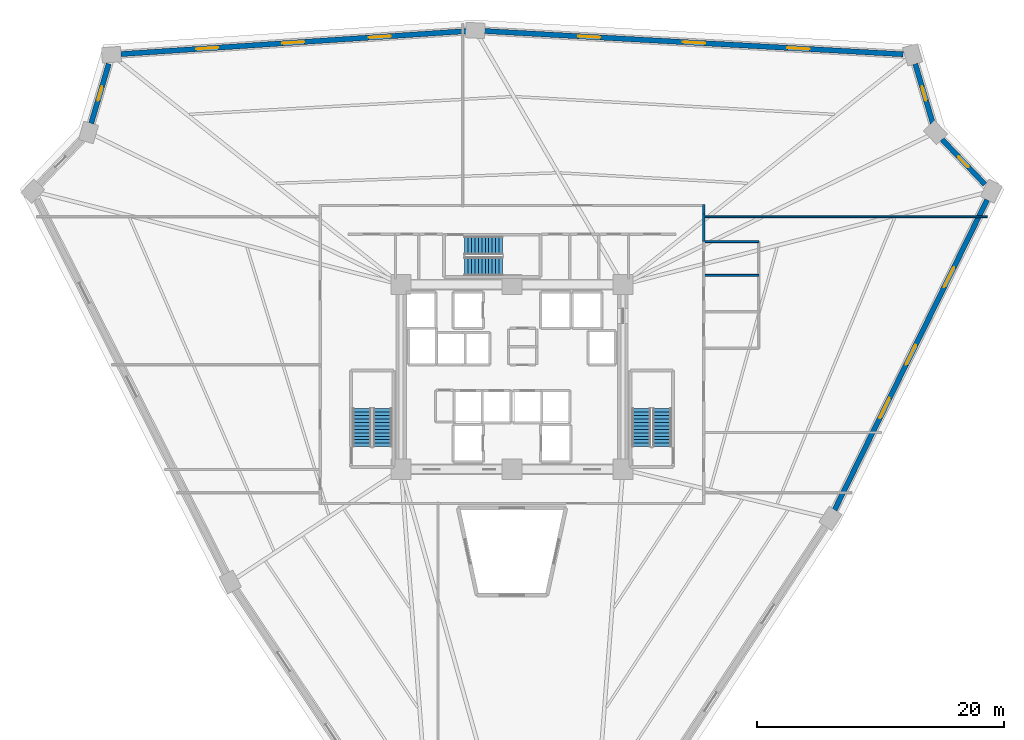
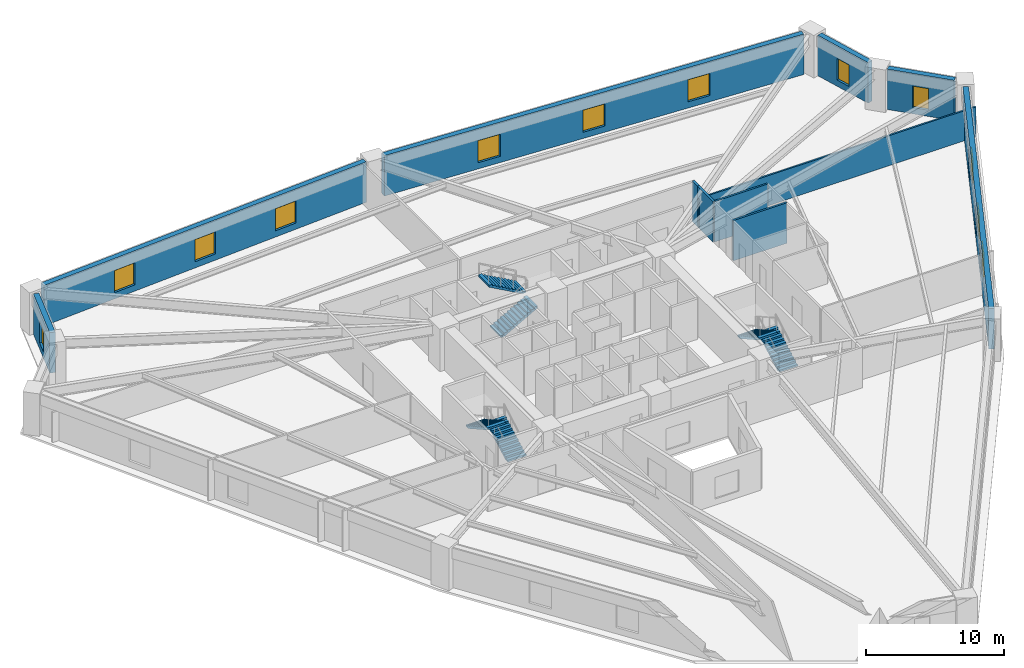
# One storey, part 7 of 8: 12 windows, 11 walls, 6 stair flights, 12 openings, 3 elements without a shape of their own.
"""IFC4 building model written with IfcOpenShell, lengths in metres."""

from ifc_helpers import new_model, si_unit, direction, frame, frame_2d, origin, place, context, subcontext, project, spatial, polyline, rectangle, outline, extrude, source, transform, mapped, material, layer, layer_set, type_object, element, fill, aggregate, save


model = new_model("IFC4")

# Units and contexts
model_context = context("Model", 3, precision=1e-05, world=origin(), true_north=direction((0.0, 1.0)))
body_context = subcontext(model_context, "Body", "Model", "MODEL_VIEW")
ifc_project = project(units=[si_unit("LENGTHUNIT", "METRE"), si_unit("AREAUNIT", "SQUARE_METRE"), si_unit("VOLUMEUNIT", "CUBIC_METRE"), si_unit("PLANEANGLEUNIT", "RADIAN"), si_unit("MASSUNIT", "GRAM", prefix="KILO")], contexts=[model_context])

# Site, building, storey
site_placement = place(None, origin())
site = spatial("IfcSite", under=ifc_project, at=site_placement, CompositionType="ELEMENT")
building_placement = place(site_placement, origin())
building = spatial("IfcBuilding", under=site, at=building_placement, Name="Liaohun Quay Tower", CompositionType="ELEMENT")
storey_placement = place(building_placement, frame((0.0, 0.0, 39.75)))
storey = spatial("IfcBuildingStorey", under=building, at=storey_placement, Name="L10", CompositionType="ELEMENT", Elevation=39.75)

# Wall, openings, windows
ifc_material_1 = material(Name="Precast concrete C50 insulated sandwich", Category="concrete")
ifc_layer_1 = layer(ifc_material_1, 0.419921875, Name="Precast concrete C50 insulated sandwich", Category="concrete")
ifc_layer_set_1 = layer_set([ifc_layer_1], Name="Precast concrete C50 insulated sandwich")
wall_type_1 = type_object("IfcWallType", Name="WAL-EXT-Z12", PredefinedType="SOLIDWALL", material=ifc_layer_set_1)
wall_1_placement = place(storey_placement, frame((86.172119140625, 43.2099609375, 0.0), z_axis=(0.0, 0.0, 1.0), x_axis=(0.441367208162, 0.897326577985, 0.0)))
wall_1 = element("IfcWall", 1, at=wall_1_placement, inside=storey, type_object=wall_type_1, Name="L10 Brutalist Precast Pier Wall 03", PredefinedType="SOLIDWALL", context=body_context, shape_type="SweptSolid", body=[
    extrude(rectangle(XDim=28.057861328125, YDim=0.419921875, at=frame_2d((14.02880859375, 0.0))), origin(), (0.0, 0.0, 1.0), 3.570068359375),
])
shared_shape_1 = source(origin(), body_context, "Body", "SweptSolid", [
    extrude(rectangle(XDim=1.800048828125, YDim=1.949951171875, at=frame_2d((0.89990234375, 0.97509765625))), frame((0.0, 0.219970703125, 0.0), z_axis=(0.0, -1.0, 0.0), x_axis=(1.0, 0.0, 0.0)), (0.0, 0.0, 1.0), 0.43994140625),
])
opening_1_placement = place(wall_1_placement, frame((8.31396484375, 0.0, 0.550048828125)))
opening_1 = element("IfcOpeningElement", 2, at=opening_1_placement, cuts=wall_1, Name="Opening W01", PredefinedType="OPENING", context=body_context, shape_type="MappedRepresentation", body=[
    mapped(shared_shape_1, transform((0.0, 0.0, 0.0), x_axis=(1.0, 0.0, 0.0), y_axis=(0.0, 1.0, 0.0), z_axis=(0.0, 0.0, 1.0), scale=1.0)),
])
opening_2_placement = place(wall_1_placement, frame((13.12890625, 0.0, 0.550048828125)))
opening_2 = element("IfcOpeningElement", 3, at=opening_2_placement, cuts=wall_1, Name="Opening W01", PredefinedType="OPENING", context=body_context, shape_type="MappedRepresentation", body=[
    mapped(shared_shape_1, transform((0.0, 0.0, 0.0), x_axis=(1.0, 0.0, 0.0), y_axis=(0.0, 1.0, 0.0), z_axis=(0.0, 0.0, 1.0), scale=1.0)),
])
opening_3_placement = place(wall_1_placement, frame((20.14306640625, 0.0, 0.550048828125)))
opening_3 = element("IfcOpeningElement", 4, at=opening_3_placement, cuts=wall_1, Name="Opening W01", PredefinedType="OPENING", context=body_context, shape_type="MappedRepresentation", body=[
    mapped(shared_shape_1, transform((0.0, 0.0, 0.0), x_axis=(1.0, 0.0, 0.0), y_axis=(0.0, 1.0, 0.0), z_axis=(0.0, 0.0, 1.0), scale=1.0)),
])
ifc_material_2 = material(Name="Triple Low-E argon glazing in thermally broken aluminium", Category="aluminium")
window_type_1 = type_object("IfcWindowType", Name="WIN-PUN-Z1", PartitioningType="DOUBLE_PANEL_VERTICAL", PredefinedType="WINDOW", material=ifc_material_2)
shared_shape_2 = source(origin(), body_context, "Body", "SweptSolid", [
    extrude(rectangle(XDim=1.800048828125, YDim=1.949951171875, at=frame_2d((0.89990234375, 0.97509765625))), frame((0.0, 0.030029296875, 0.0), z_axis=(0.0, -1.0, 0.0), x_axis=(1.0, 0.0, 0.0)), (0.0, 0.0, 1.0), 0.06005859375),
])
window_1_placement = place(opening_1_placement, origin())
window_1 = element("IfcWindow", 5, at=window_1_placement, inside=storey, type_object=window_type_1, Name="L10 Recessed Cold-Climate Punched Window 03-1", OverallHeight=1.949951171875, OverallWidth=1.800048828125, PartitioningType="DOUBLE_PANEL_VERTICAL", PredefinedType="WINDOW", context=body_context, shape_type="MappedRepresentation", body=[
    mapped(shared_shape_2, transform((0.0, 0.0, 0.0), x_axis=(1.0, 0.0, 0.0), y_axis=(0.0, 1.0, 0.0), z_axis=(0.0, 0.0, 1.0), scale=1.0)),
])
fill(opening_1, window_1)
window_2_placement = place(opening_2_placement, origin())
window_2 = element("IfcWindow", 6, at=window_2_placement, inside=storey, type_object=window_type_1, Name="L10 Recessed Cold-Climate Punched Window 03-2", OverallHeight=1.949951171875, OverallWidth=1.800048828125, PartitioningType="DOUBLE_PANEL_VERTICAL", PredefinedType="WINDOW", context=body_context, shape_type="MappedRepresentation", body=[
    mapped(shared_shape_2, transform((0.0, 0.0, 0.0), x_axis=(1.0, 0.0, 0.0), y_axis=(0.0, 1.0, 0.0), z_axis=(0.0, 0.0, 1.0), scale=1.0)),
])
fill(opening_2, window_2)
window_3_placement = place(opening_3_placement, origin())
window_3 = element("IfcWindow", 7, at=window_3_placement, inside=storey, type_object=window_type_1, Name="L10 Recessed Cold-Climate Punched Window 03-3", OverallHeight=1.949951171875, OverallWidth=1.800048828125, PartitioningType="DOUBLE_PANEL_VERTICAL", PredefinedType="WINDOW", context=body_context, shape_type="MappedRepresentation", body=[
    mapped(shared_shape_2, transform((0.0, 0.0, 0.0), x_axis=(1.0, 0.0, 0.0), y_axis=(0.0, 1.0, 0.0), z_axis=(0.0, 0.0, 1.0), scale=1.0)),
])
fill(opening_3, window_3)

# Wall, opening, window
wall_2_placement = place(storey_placement, frame((98.366943359375, 69.626953125, 0.0), z_axis=(0.0, 0.0, 1.0), x_axis=(-0.689358039111, 0.724420798923, 0.0)))
wall_2 = element("IfcWall", 8, at=wall_2_placement, inside=storey, type_object=wall_type_1, Name="L10 Brutalist Precast Pier Wall 04", PredefinedType="SOLIDWALL", context=body_context, shape_type="SweptSolid", body=[
    extrude(rectangle(XDim=5.048095703125, YDim=0.419921875, at=frame_2d((2.52392578125, 0.0))), origin(), (0.0, 0.0, 1.0), 3.570068359375),
])
shared_shape_3 = source(origin(), body_context, "Body", "SweptSolid", [
    extrude(rectangle(XDim=1.199951171875, YDim=1.89990234375, at=frame_2d((0.60009765625, 0.949951171875))), frame((0.0, 0.219970703125, 0.0), z_axis=(0.0, -1.0, 0.0), x_axis=(1.0, 0.0, 0.0)), (0.0, 0.0, 1.0), 0.43994140625),
])
opening_4_placement = place(wall_2_placement, frame((1.924072265625, 0.0, 0.550048828125)))
opening_4 = element("IfcOpeningElement", 9, at=opening_4_placement, cuts=wall_2, Name="Opening W05", PredefinedType="OPENING", context=body_context, shape_type="MappedRepresentation", body=[
    mapped(shared_shape_3, transform((0.0, 0.0, 0.0), x_axis=(1.0, 0.0, 0.0), y_axis=(0.0, 1.0, 0.0), z_axis=(0.0, 0.0, 1.0), scale=1.0)),
])
ifc_material_3 = material(Name="Triple Low-E corner notch glazing", Category="glass")
window_type_2 = type_object("IfcWindowType", Name="WIN-NOTCH", PartitioningType="SINGLE_PANEL", PredefinedType="WINDOW", material=ifc_material_3)
shared_shape_4 = source(origin(), body_context, "Body", "SweptSolid", [
    extrude(rectangle(XDim=1.199951171875, YDim=1.89990234375, at=frame_2d((0.60009765625, 0.949951171875))), frame((0.0, 0.030029296875, 0.0), z_axis=(0.0, -1.0, 0.0), x_axis=(1.0, 0.0, 0.0)), (0.0, 0.0, 1.0), 0.06005859375),
])
window_4_placement = place(opening_4_placement, origin())
window_4 = element("IfcWindow", 10, at=window_4_placement, inside=storey, type_object=window_type_2, Name="L10 Corner Notch Window W05-04", OverallHeight=1.89990234375, OverallWidth=1.199951171875, PartitioningType="SINGLE_PANEL", PredefinedType="WINDOW", context=body_context, shape_type="MappedRepresentation", body=[
    mapped(shared_shape_4, transform((0.0, 0.0, 0.0), x_axis=(1.0, 0.0, 0.0), y_axis=(0.0, 1.0, 0.0), z_axis=(0.0, 0.0, 1.0), scale=1.0)),
])
fill(opening_4, window_4)

wall_3_placement = place(storey_placement, frame((94.14404296875, 74.572021484375, 0.0), z_axis=(0.0, 0.0, 1.0), x_axis=(-0.282945147244, 0.959136092351, 0.0)))
wall_3 = element("IfcWall", 11, at=wall_3_placement, inside=storey, type_object=wall_type_1, Name="L10 Brutalist Precast Pier Wall 05", PredefinedType="SOLIDWALL", context=body_context, shape_type="SweptSolid", body=[
    extrude(rectangle(XDim=5.0400390625, YDim=0.419921875, at=frame_2d((2.52001953125, 0.0))), origin(), (0.0, 0.0, 1.0), 3.570068359375),
])
opening_5_placement = place(wall_3_placement, frame((1.919921875, 0.0, 0.550048828125)))
opening_5 = element("IfcOpeningElement", 12, at=opening_5_placement, cuts=wall_3, Name="Opening W05", PredefinedType="OPENING", context=body_context, shape_type="MappedRepresentation", body=[
    mapped(shared_shape_3, transform((0.0, 0.0, 0.0), x_axis=(1.0, 0.0, 0.0), y_axis=(0.0, 1.0, 0.0), z_axis=(0.0, 0.0, 1.0), scale=1.0)),
])
window_5_placement = place(opening_5_placement, origin())
window_5 = element("IfcWindow", 13, at=window_5_placement, inside=storey, type_object=window_type_2, Name="L10 Corner Notch Window W05-05", OverallHeight=1.89990234375, OverallWidth=1.199951171875, PartitioningType="SINGLE_PANEL", PredefinedType="WINDOW", context=body_context, shape_type="MappedRepresentation", body=[
    mapped(shared_shape_4, transform((0.0, 0.0, 0.0), x_axis=(1.0, 0.0, 0.0), y_axis=(0.0, 1.0, 0.0), z_axis=(0.0, 0.0, 1.0), scale=1.0)),
])
fill(opening_5, window_5)

# Wall, openings, windows
wall_4_placement = place(storey_placement, frame((91.738037109375, 80.181884765625, 0.0), z_axis=(0.0, 0.0, 1.0), x_axis=(-0.998458762228, 0.055498649812, 0.0)))
wall_4 = element("IfcWall", 14, at=wall_4_placement, inside=storey, type_object=wall_type_1, Name="L10 Brutalist Precast Pier Wall 06", PredefinedType="SOLIDWALL", context=body_context, shape_type="SweptSolid", body=[
    extrude(rectangle(XDim=34.004638671875, YDim=0.419921875, at=frame_2d((17.00244140625, 0.0))), origin(), (0.0, 0.0, 1.0), 3.570068359375),
])
opening_6_placement = place(wall_4_placement, frame((7.60107421875, 0.0, 0.550048828125)))
opening_6 = element("IfcOpeningElement", 15, at=opening_6_placement, cuts=wall_4, Name="Opening W01", PredefinedType="OPENING", context=body_context, shape_type="MappedRepresentation", body=[
    mapped(shared_shape_1, transform((0.0, 0.0, 0.0), x_axis=(1.0, 0.0, 0.0), y_axis=(0.0, 1.0, 0.0), z_axis=(0.0, 0.0, 1.0), scale=1.0)),
])
opening_7_placement = place(wall_4_placement, frame((16.10205078125, 0.0, 0.550048828125)))
opening_7 = element("IfcOpeningElement", 16, at=opening_7_placement, cuts=wall_4, Name="Opening W01", PredefinedType="OPENING", context=body_context, shape_type="MappedRepresentation", body=[
    mapped(shared_shape_1, transform((0.0, 0.0, 0.0), x_axis=(1.0, 0.0, 0.0), y_axis=(0.0, 1.0, 0.0), z_axis=(0.0, 0.0, 1.0), scale=1.0)),
])
opening_8_placement = place(wall_4_placement, frame((24.60302734375, 0.0, 0.550048828125)))
opening_8 = element("IfcOpeningElement", 17, at=opening_8_placement, cuts=wall_4, Name="Opening W01", PredefinedType="OPENING", context=body_context, shape_type="MappedRepresentation", body=[
    mapped(shared_shape_1, transform((0.0, 0.0, 0.0), x_axis=(1.0, 0.0, 0.0), y_axis=(0.0, 1.0, 0.0), z_axis=(0.0, 0.0, 1.0), scale=1.0)),
])
window_6_placement = place(opening_6_placement, origin())
window_6 = element("IfcWindow", 18, at=window_6_placement, inside=storey, type_object=window_type_1, Name="L10 Recessed Cold-Climate Punched Window 06-1", OverallHeight=1.949951171875, OverallWidth=1.800048828125, PartitioningType="DOUBLE_PANEL_VERTICAL", PredefinedType="WINDOW", context=body_context, shape_type="MappedRepresentation", body=[
    mapped(shared_shape_2, transform((0.0, 0.0, 0.0), x_axis=(1.0, 0.0, 0.0), y_axis=(0.0, 1.0, 0.0), z_axis=(0.0, 0.0, 1.0), scale=1.0)),
])
fill(opening_6, window_6)
window_7_placement = place(opening_7_placement, origin())
window_7 = element("IfcWindow", 19, at=window_7_placement, inside=storey, type_object=window_type_1, Name="L10 Recessed Cold-Climate Punched Window 06-2", OverallHeight=1.949951171875, OverallWidth=1.800048828125, PartitioningType="DOUBLE_PANEL_VERTICAL", PredefinedType="WINDOW", context=body_context, shape_type="MappedRepresentation", body=[
    mapped(shared_shape_2, transform((0.0, 0.0, 0.0), x_axis=(1.0, 0.0, 0.0), y_axis=(0.0, 1.0, 0.0), z_axis=(0.0, 0.0, 1.0), scale=1.0)),
])
fill(opening_7, window_7)
window_8_placement = place(opening_8_placement, origin())
window_8 = element("IfcWindow", 20, at=window_8_placement, inside=storey, type_object=window_type_1, Name="L10 Recessed Cold-Climate Punched Window 06-3", OverallHeight=1.949951171875, OverallWidth=1.800048828125, PartitioningType="DOUBLE_PANEL_VERTICAL", PredefinedType="WINDOW", context=body_context, shape_type="MappedRepresentation", body=[
    mapped(shared_shape_2, transform((0.0, 0.0, 0.0), x_axis=(1.0, 0.0, 0.0), y_axis=(0.0, 1.0, 0.0), z_axis=(0.0, 0.0, 1.0), scale=1.0)),
])
fill(opening_8, window_8)

wall_5_placement = place(storey_placement, frame((56.259033203125, 82.06005859375, 0.0), z_axis=(0.0, 0.0, 1.0), x_axis=(-0.997793120451, -0.066399463707, 0.0)))
wall_5 = element("IfcWall", 21, at=wall_5_placement, inside=storey, type_object=wall_type_1, Name="L10 Brutalist Precast Pier Wall 07", PredefinedType="SOLIDWALL", context=body_context, shape_type="SweptSolid", body=[
    extrude(rectangle(XDim=28.05810546875, YDim=0.419921875, at=frame_2d((14.029052734375, 0.0))), origin(), (0.0, 0.0, 1.0), 3.570068359375),
])
opening_9_placement = place(wall_5_placement, frame((6.114013671875, 0.0, 0.550048828125)))
opening_9 = element("IfcOpeningElement", 22, at=opening_9_placement, cuts=wall_5, Name="Opening W01", PredefinedType="OPENING", context=body_context, shape_type="MappedRepresentation", body=[
    mapped(shared_shape_1, transform((0.0, 0.0, 0.0), x_axis=(1.0, 0.0, 0.0), y_axis=(0.0, 1.0, 0.0), z_axis=(0.0, 0.0, 1.0), scale=1.0)),
])
opening_10_placement = place(wall_5_placement, frame((13.12890625, 0.0, 0.550048828125)))
opening_10 = element("IfcOpeningElement", 23, at=opening_10_placement, cuts=wall_5, Name="Opening W01", PredefinedType="OPENING", context=body_context, shape_type="MappedRepresentation", body=[
    mapped(shared_shape_1, transform((0.0, 0.0, 0.0), x_axis=(1.0, 0.0, 0.0), y_axis=(0.0, 1.0, 0.0), z_axis=(0.0, 0.0, 1.0), scale=1.0)),
])
opening_11_placement = place(wall_5_placement, frame((20.14306640625, 0.0, 0.550048828125)))
opening_11 = element("IfcOpeningElement", 24, at=opening_11_placement, cuts=wall_5, Name="Opening W01", PredefinedType="OPENING", context=body_context, shape_type="MappedRepresentation", body=[
    mapped(shared_shape_1, transform((0.0, 0.0, 0.0), x_axis=(1.0, 0.0, 0.0), y_axis=(0.0, 1.0, 0.0), z_axis=(0.0, 0.0, 1.0), scale=1.0)),
])
window_9_placement = place(opening_9_placement, origin())
window_9 = element("IfcWindow", 25, at=window_9_placement, inside=storey, type_object=window_type_1, Name="L10 Recessed Cold-Climate Punched Window 07-1", OverallHeight=1.949951171875, OverallWidth=1.800048828125, PartitioningType="DOUBLE_PANEL_VERTICAL", PredefinedType="WINDOW", context=body_context, shape_type="MappedRepresentation", body=[
    mapped(shared_shape_2, transform((0.0, 0.0, 0.0), x_axis=(1.0, 0.0, 0.0), y_axis=(0.0, 1.0, 0.0), z_axis=(0.0, 0.0, 1.0), scale=1.0)),
])
fill(opening_9, window_9)
window_10_placement = place(opening_10_placement, origin())
window_10 = element("IfcWindow", 26, at=window_10_placement, inside=storey, type_object=window_type_1, Name="L10 Recessed Cold-Climate Punched Window 07-2", OverallHeight=1.949951171875, OverallWidth=1.800048828125, PartitioningType="DOUBLE_PANEL_VERTICAL", PredefinedType="WINDOW", context=body_context, shape_type="MappedRepresentation", body=[
    mapped(shared_shape_2, transform((0.0, 0.0, 0.0), x_axis=(1.0, 0.0, 0.0), y_axis=(0.0, 1.0, 0.0), z_axis=(0.0, 0.0, 1.0), scale=1.0)),
])
fill(opening_10, window_10)
window_11_placement = place(opening_11_placement, origin())
window_11 = element("IfcWindow", 27, at=window_11_placement, inside=storey, type_object=window_type_1, Name="L10 Recessed Cold-Climate Punched Window 07-3", OverallHeight=1.949951171875, OverallWidth=1.800048828125, PartitioningType="DOUBLE_PANEL_VERTICAL", PredefinedType="WINDOW", context=body_context, shape_type="MappedRepresentation", body=[
    mapped(shared_shape_2, transform((0.0, 0.0, 0.0), x_axis=(1.0, 0.0, 0.0), y_axis=(0.0, 1.0, 0.0), z_axis=(0.0, 0.0, 1.0), scale=1.0)),
])
fill(opening_11, window_11)

# Wall, opening, window
wall_6_placement = place(storey_placement, frame((27.283935546875, 79.412109375, 0.0), z_axis=(0.0, 0.0, 1.0), x_axis=(-0.282972963709, -0.959127886056, 0.0)))
wall_6 = element("IfcWall", 28, at=wall_6_placement, inside=storey, type_object=wall_type_1, Name="L10 Brutalist Precast Pier Wall 08", PredefinedType="SOLIDWALL", context=body_context, shape_type="SweptSolid", body=[
    extrude(rectangle(XDim=5.04638671875, YDim=0.419921875, at=frame_2d((2.523193359375, 0.0))), origin(), (0.0, 0.0, 1.0), 3.570068359375),
])
opening_12_placement = place(wall_6_placement, frame((1.923095703125, 0.0, 0.550048828125)))
opening_12 = element("IfcOpeningElement", 29, at=opening_12_placement, cuts=wall_6, Name="Opening W05", PredefinedType="OPENING", context=body_context, shape_type="MappedRepresentation", body=[
    mapped(shared_shape_3, transform((0.0, 0.0, 0.0), x_axis=(1.0, 0.0, 0.0), y_axis=(0.0, 1.0, 0.0), z_axis=(0.0, 0.0, 1.0), scale=1.0)),
])
window_12_placement = place(opening_12_placement, origin())
window_12 = element("IfcWindow", 30, at=window_12_placement, inside=storey, type_object=window_type_2, Name="L10 Corner Notch Window W05-08", OverallHeight=1.89990234375, OverallWidth=1.199951171875, PartitioningType="SINGLE_PANEL", PredefinedType="WINDOW", context=body_context, shape_type="MappedRepresentation", body=[
    mapped(shared_shape_4, transform((0.0, 0.0, 0.0), x_axis=(1.0, 0.0, 0.0), y_axis=(0.0, 1.0, 0.0), z_axis=(0.0, 0.0, 1.0), scale=1.0)),
])
fill(opening_12, window_12)

# Walls
ifc_material_4 = material(Name="Autoclaved aerated concrete blockwork", Category="masonry")
ifc_layer_2 = layer(ifc_material_4, 0.179931640625, Name="Autoclaved aerated concrete blockwork", Category="masonry")
ifc_layer_set_2 = layer_set([ifc_layer_2], Name="Autoclaved aerated concrete blockwork")
wall_type_2 = type_object("IfcWallType", Name="WAL-PRT-COR", PredefinedType="PARTITIONING", material=ifc_layer_set_2)
wall_7_placement = place(storey_placement, frame((75.56005859375, 67.215087890625, 0.0), z_axis=(0.0, 0.0, 1.0), x_axis=(0.0, -1.0, 0.0)))
element("IfcWall", 31, at=wall_7_placement, inside=storey, type_object=wall_type_2, Name="L10 Interior Partition Wall 038", PredefinedType="PARTITIONING", context=body_context, shape_type="SweptSolid", body=[
    extrude(rectangle(XDim=2.235107421875, YDim=0.179931640625, at=frame_2d((1.11767578125, 0.0))), origin(), (0.0, 0.0, 1.0), 3.570068359375),
])
wall_8_placement = place(storey_placement, frame((75.56005859375, 67.97998046875, 0.0), z_axis=(0.0, 0.0, 1.0), x_axis=(0.0, -1.0, 0.0)))
element("IfcWall", 32, at=wall_8_placement, inside=storey, type_object=wall_type_2, Name="L10 Interior Partition Wall 039", PredefinedType="PARTITIONING", context=body_context, shape_type="SweptSolid", body=[
    extrude(rectangle(XDim=0.764892578125, YDim=0.179931640625, at=frame_2d((0.38232421875, 0.0))), origin(), (0.0, 0.0, 1.0), 3.570068359375),
])
ifc_material_5 = material(Name="Gypsum board on twin steel studs", Category="steel")
ifc_layer_3 = layer(ifc_material_5, 0.139892578125, Name="Gypsum board on twin steel studs", Category="steel")
ifc_layer_set_3 = layer_set([ifc_layer_3], Name="Gypsum board on twin steel studs")
wall_type_3 = type_object("IfcWallType", Name="WAL-PRT-OFF", PredefinedType="PARTITIONING", material=ifc_layer_set_3)
wall_9_placement = place(storey_placement, frame((75.4599609375, 67.0, 0.0), z_axis=(0.0, 0.0, 1.0), x_axis=(1.0, 0.0, 0.0)))
element("IfcWall", 33, at=wall_9_placement, inside=storey, type_object=wall_type_3, Name="L10 Interior Partition Wall 049", PredefinedType="PARTITIONING", context=body_context, shape_type="SweptSolid", body=[
    extrude(rectangle(XDim=23.115966796875, YDim=0.139892578125, at=frame_2d((11.55810546875, 0.0))), origin(), (0.0, 0.0, 1.0), 2.655029296875),
])
ifc_material_6 = material(Name="Moisture-resistant masonry blockwork", Category="masonry")
ifc_layer_4 = layer(ifc_material_6, 0.159912109375, Name="Moisture-resistant masonry blockwork", Category="masonry")
ifc_layer_set_4 = layer_set([ifc_layer_4], Name="Moisture-resistant masonry blockwork")
wall_type_4 = type_object("IfcWallType", Name="WAL-PRT-WET", PredefinedType="PARTITIONING", material=ifc_layer_set_4)
for number, where, z_axis, x_axis, name in (
    (34, (75.56005859375, 62.239990234375, 0.0), (0.0, 0.0, 1.0), (1.0, 0.0, 0.0), "L10 Interior Partition Wall 031"),
    (35, (75.56005859375, 64.97998046875, 0.0), (0.0, 0.0, 1.0), (1.0, 0.0, 0.0), "L10 Interior Partition Wall 032"),
):
    element("IfcWall", number, at=place(storey_placement, frame(where, z_axis=z_axis, x_axis=x_axis)), inside=storey, type_object=wall_type_4, Name=name, PredefinedType="PARTITIONING", context=body_context, shape_type="SweptSolid", body=[
        extrude(rectangle(XDim=4.4599609375, YDim=0.159912109375, at=frame_2d((2.22998046875, 0.0))), origin(), (0.0, 0.0, 1.0), 3.570068359375),
    ])

# Stair, stair flights
ifc_material_7 = material(Name="Concrete C45", Category="concrete")
stair_type = type_object("IfcStairType", Name="STR-CORE-OFF", PredefinedType="HALF_TURN_STAIR", material=ifc_material_7)
stair_1_placement = place(storey_placement, origin())
stair_1 = element("IfcStair", 36, at=stair_1_placement, inside=storey, type_object=stair_type, Name="L10 Smokeproof Core Exit Stair ST-1", PredefinedType="HALF_TURN_STAIR")
stair_flight_type = type_object("IfcStairFlightType", Name="FLT-CORE-155", PredefinedType="STRAIGHT", material=ifc_material_7)
stair_flight_1_placement = place(storey_placement, frame((49.5048828125, 48.35009765625, 0.0), z_axis=(0.0, 0.0, 1.0), x_axis=(0.0, 1.0, 0.0)))
stair_flight_1 = element("IfcStairFlight", 37, at=stair_flight_1_placement, type_object=stair_flight_type, Name="ST-1 flight 1", NumberOfRisers=12, NumberOfTreads=11, PredefinedType="STRAIGHT", RiserHeight=0.15625, TreadLength=0.28, context=body_context, shape_type="SweptSolid", body=[
    extrude(outline(polyline([(0.0, 0.0), (0.0, 0.15625), (0.280029296875, 0.15625), (0.280029296875, 0.3125), (0.56005859375, 0.3125), (0.56005859375, 0.46875), (0.840087890625, 0.46875), (0.840087890625, 0.625), (1.1201171875, 0.625), (1.1201171875, 0.78125), (1.39990234375, 0.78125), (1.39990234375, 0.9375), (1.679931640625, 0.9375), (1.679931640625, 1.09375), (1.9599609375, 1.09375), (1.9599609375, 1.25), (2.239990234375, 1.25), (2.239990234375, 1.40625), (2.52001953125, 1.40625), (2.52001953125, 1.5625), (2.800048828125, 1.5625), (2.800048828125, 1.71875), (3.080078125, 1.71875), (3.080078125, 1.875), (3.080078125, 1.547119140625), (0.3076171875, 0.0), (0.0, 0.0)])), frame((0.0, 0.77490234375, 0.0), z_axis=(0.0, -1.0, 0.0), x_axis=(1.0, 0.0, 0.0)), (0.0, 0.0, 1.0), 1.550048828125),
])
stair_flight_2_placement = place(storey_placement, frame((47.81494140625, 51.429931640625, 1.875), z_axis=(0.0, 0.0, 1.0), x_axis=(0.0, -1.0, 0.0)))
stair_flight_2 = element("IfcStairFlight", 38, at=stair_flight_2_placement, type_object=stair_flight_type, Name="ST-1 flight 2", NumberOfRisers=12, NumberOfTreads=11, PredefinedType="STRAIGHT", RiserHeight=0.15625, TreadLength=0.28, context=body_context, shape_type="SweptSolid", body=[
    extrude(outline(polyline([(0.0, 0.0), (0.0, 0.15625), (0.280029296875, 0.15625), (0.280029296875, 0.3125), (0.56005859375, 0.3125), (0.56005859375, 0.46875), (0.840087890625, 0.46875), (0.840087890625, 0.625), (1.1201171875, 0.625), (1.1201171875, 0.78125), (1.39990234375, 0.78125), (1.39990234375, 0.9375), (1.679931640625, 0.9375), (1.679931640625, 1.09375), (1.9599609375, 1.09375), (1.9599609375, 1.25), (2.239990234375, 1.25), (2.239990234375, 1.40625), (2.52001953125, 1.40625), (2.52001953125, 1.5625), (2.800048828125, 1.5625), (2.800048828125, 1.71875), (3.080078125, 1.71875), (3.080078125, 1.875), (3.080078125, 1.547119140625), (0.3076171875, 0.0), (0.0, 0.0)])), frame((0.0, 0.77490234375, 0.0), z_axis=(0.0, -1.0, 0.0), x_axis=(1.0, 0.0, 0.0)), (0.0, 0.0, 1.0), 1.550048828125),
])
aggregate(stair_1, [stair_flight_1, stair_flight_2])

stair_2_placement = place(storey_placement, origin())
stair_2 = element("IfcStair", 39, at=stair_2_placement, inside=storey, type_object=stair_type, Name="L10 Smokeproof Core Exit Stair ST-2", PredefinedType="HALF_TURN_STAIR")
stair_flight_3_placement = place(storey_placement, frame((72.18505859375, 48.35009765625, 0.0), z_axis=(0.0, 0.0, 1.0), x_axis=(0.0, 1.0, 0.0)))
stair_flight_3 = element("IfcStairFlight", 40, at=stair_flight_3_placement, type_object=stair_flight_type, Name="ST-2 flight 1", NumberOfRisers=12, NumberOfTreads=11, PredefinedType="STRAIGHT", RiserHeight=0.15625, TreadLength=0.28, context=body_context, shape_type="SweptSolid", body=[
    extrude(outline(polyline([(0.0, 0.0), (0.0, 0.15625), (0.280029296875, 0.15625), (0.280029296875, 0.3125), (0.56005859375, 0.3125), (0.56005859375, 0.46875), (0.840087890625, 0.46875), (0.840087890625, 0.625), (1.1201171875, 0.625), (1.1201171875, 0.78125), (1.39990234375, 0.78125), (1.39990234375, 0.9375), (1.679931640625, 0.9375), (1.679931640625, 1.09375), (1.9599609375, 1.09375), (1.9599609375, 1.25), (2.239990234375, 1.25), (2.239990234375, 1.40625), (2.52001953125, 1.40625), (2.52001953125, 1.5625), (2.800048828125, 1.5625), (2.800048828125, 1.71875), (3.080078125, 1.71875), (3.080078125, 1.875), (3.080078125, 1.547119140625), (0.3076171875, 0.0), (0.0, 0.0)])), frame((0.0, 0.77490234375, 0.0), z_axis=(0.0, -1.0, 0.0), x_axis=(1.0, 0.0, 0.0)), (0.0, 0.0, 1.0), 1.550048828125),
])
stair_flight_4_placement = place(storey_placement, frame((70.4951171875, 51.429931640625, 1.875), z_axis=(0.0, 0.0, 1.0), x_axis=(0.0, -1.0, 0.0)))
stair_flight_4 = element("IfcStairFlight", 41, at=stair_flight_4_placement, type_object=stair_flight_type, Name="ST-2 flight 2", NumberOfRisers=12, NumberOfTreads=11, PredefinedType="STRAIGHT", RiserHeight=0.15625, TreadLength=0.28, context=body_context, shape_type="SweptSolid", body=[
    extrude(outline(polyline([(0.0, 0.0), (0.0, 0.15625), (0.280029296875, 0.15625), (0.280029296875, 0.3125), (0.56005859375, 0.3125), (0.56005859375, 0.46875), (0.840087890625, 0.46875), (0.840087890625, 0.625), (1.1201171875, 0.625), (1.1201171875, 0.78125), (1.39990234375, 0.78125), (1.39990234375, 0.9375), (1.679931640625, 0.9375), (1.679931640625, 1.09375), (1.9599609375, 1.09375), (1.9599609375, 1.25), (2.239990234375, 1.25), (2.239990234375, 1.40625), (2.52001953125, 1.40625), (2.52001953125, 1.5625), (2.800048828125, 1.5625), (2.800048828125, 1.71875), (3.080078125, 1.71875), (3.080078125, 1.875), (3.080078125, 1.547119140625), (0.3076171875, 0.0), (0.0, 0.0)])), frame((0.0, 0.77490234375, 0.0), z_axis=(0.0, -1.0, 0.0), x_axis=(1.0, 0.0, 0.0)), (0.0, 0.0, 1.0), 1.550048828125),
])
aggregate(stair_2, [stair_flight_3, stair_flight_4])

stair_3_placement = place(storey_placement, origin())
stair_3 = element("IfcStair", 42, at=stair_3_placement, inside=storey, type_object=stair_type, Name="L10 Smokeproof Core Exit Stair ST-3", PredefinedType="HALF_TURN_STAIR")
stair_flight_5_placement = place(storey_placement, frame((56.14990234375, 62.97509765625, 0.0), z_axis=(0.0, 0.0, 1.0), x_axis=(1.0, 0.0, 0.0)))
stair_flight_5 = element("IfcStairFlight", 43, at=stair_flight_5_placement, type_object=stair_flight_type, Name="ST-3 flight 1", NumberOfRisers=12, NumberOfTreads=11, PredefinedType="STRAIGHT", RiserHeight=0.15625, TreadLength=0.28, context=body_context, shape_type="SweptSolid", body=[
    extrude(outline(polyline([(0.0, 0.0), (0.0, 0.15625), (0.280029296875, 0.15625), (0.280029296875, 0.3125), (0.56005859375, 0.3125), (0.56005859375, 0.46875), (0.840087890625, 0.46875), (0.840087890625, 0.625), (1.1201171875, 0.625), (1.1201171875, 0.78125), (1.39990234375, 0.78125), (1.39990234375, 0.9375), (1.679931640625, 0.9375), (1.679931640625, 1.09375), (1.9599609375, 1.09375), (1.9599609375, 1.25), (2.239990234375, 1.25), (2.239990234375, 1.40625), (2.52001953125, 1.40625), (2.52001953125, 1.5625), (2.800048828125, 1.5625), (2.800048828125, 1.71875), (3.080078125, 1.71875), (3.080078125, 1.875), (3.080078125, 1.547119140625), (0.3076171875, 0.0), (0.0, 0.0)])), frame((0.0, 0.77490234375, 0.0), z_axis=(0.0, -1.0, 0.0), x_axis=(1.0, 0.0, 0.0)), (0.0, 0.0, 1.0), 1.550048828125),
])
stair_flight_6_placement = place(storey_placement, frame((59.22998046875, 64.6650390625, 1.875), z_axis=(0.0, 0.0, 1.0), x_axis=(-1.0, 0.0, 0.0)))
stair_flight_6 = element("IfcStairFlight", 44, at=stair_flight_6_placement, type_object=stair_flight_type, Name="ST-3 flight 2", NumberOfRisers=12, NumberOfTreads=11, PredefinedType="STRAIGHT", RiserHeight=0.15625, TreadLength=0.28, context=body_context, shape_type="SweptSolid", body=[
    extrude(outline(polyline([(0.0, 0.0), (0.0, 0.15625), (0.280029296875, 0.15625), (0.280029296875, 0.3125), (0.56005859375, 0.3125), (0.56005859375, 0.46875), (0.840087890625, 0.46875), (0.840087890625, 0.625), (1.1201171875, 0.625), (1.1201171875, 0.78125), (1.39990234375, 0.78125), (1.39990234375, 0.9375), (1.679931640625, 0.9375), (1.679931640625, 1.09375), (1.9599609375, 1.09375), (1.9599609375, 1.25), (2.239990234375, 1.25), (2.239990234375, 1.40625), (2.52001953125, 1.40625), (2.52001953125, 1.5625), (2.800048828125, 1.5625), (2.800048828125, 1.71875), (3.080078125, 1.71875), (3.080078125, 1.875), (3.080078125, 1.547119140625), (0.3076171875, 0.0), (0.0, 0.0)])), frame((0.0, 0.77490234375, 0.0), z_axis=(0.0, -1.0, 0.0), x_axis=(1.0, 0.0, 0.0)), (0.0, 0.0, 1.0), 1.550048828125),
])
aggregate(stair_3, [stair_flight_5, stair_flight_6])

save(model, "model.ifc")
